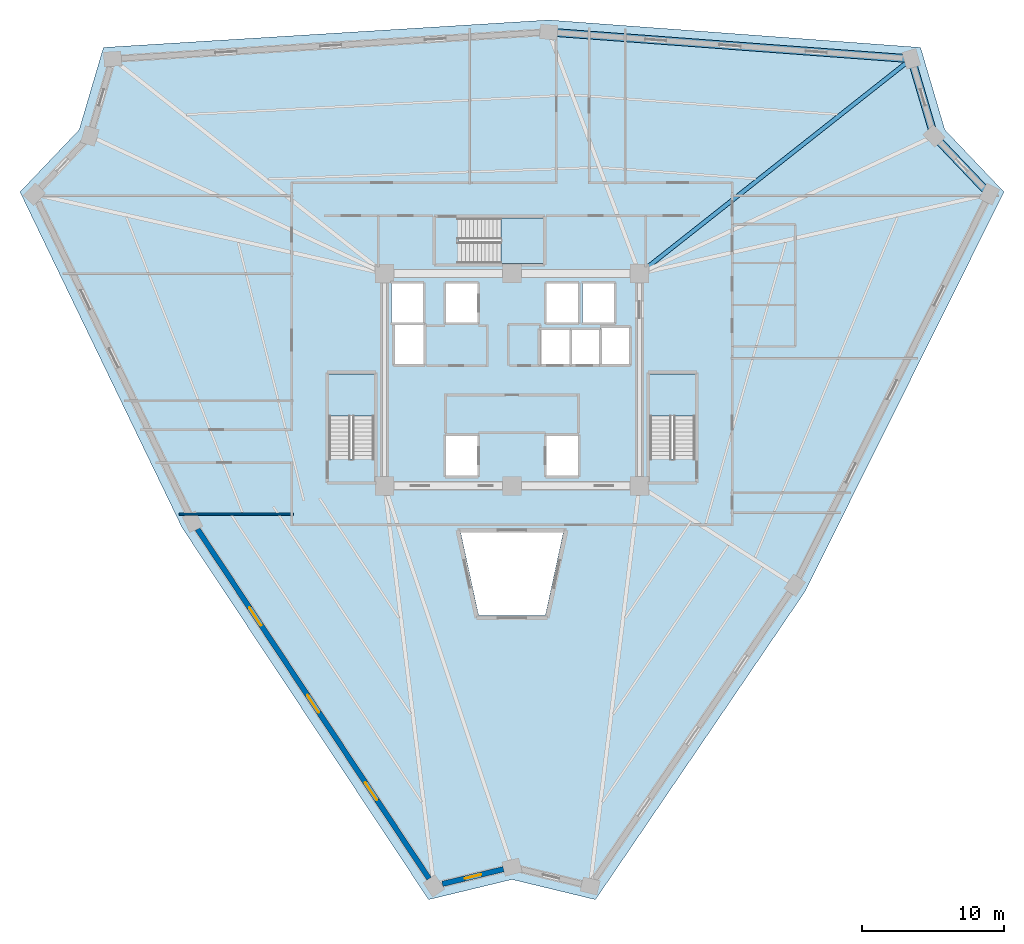
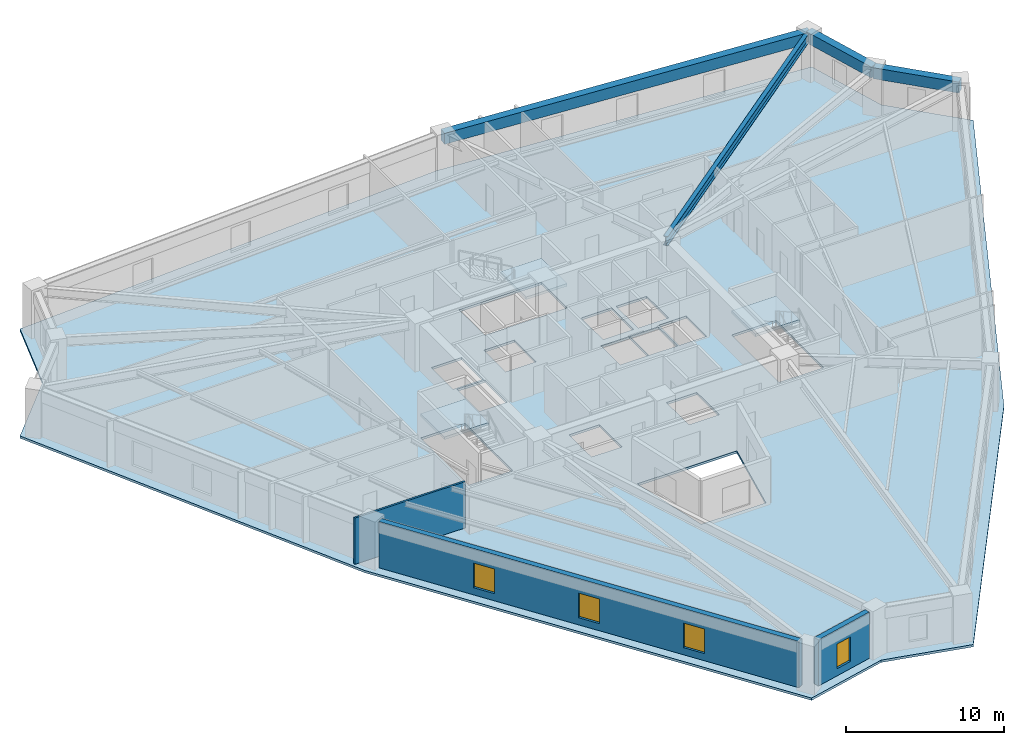
# One storey, part 2 of 8: 4 beams, 4 slabs, 4 windows, 3 walls, 4 openings, 3 elements without a shape of their own.
"""IFC4 building model written with IfcOpenShell, lengths in metres."""

import ifcopenshell
import ifcopenshell.guid

model = None  # the IFC model being written
_history = None  # IfcOwnerHistory: only IFC2X3 demands one
_inside = {}  # id of a spatial element -> (the spatial element, [elements in it])
_under = {}  # id of a project, library or spatial element -> (it, [spatial elements below it])
_declared = {}  # id of a project -> (the project, [libraries it declares])
_typed = {}  # id of a type object -> (the type object, [elements of that type])
_made_of = {}  # id of a material, layer set ... -> (it, [elements and type objects made of it])


def new_model(schema):
    """Start an empty IFC model of exactly this schema.

    Asked for "IFC4X3", IfcOpenShell would pick the latest addendum, in which some entities
    have other attributes; the version numbers below select the first issue.
    IFC2X3 requires an IfcOwnerHistory on every rooted entity: one is made here for all.
    """
    global model, _history
    if schema == "IFC4X3":
        model = ifcopenshell.file(schema_version=(4, 3, 0, 0))
    else:
        model = ifcopenshell.file(schema=schema)
    _inside.clear()
    _under.clear()
    _declared.clear()
    _typed.clear()
    _made_of.clear()
    _history = None
    if model.schema == "IFC2X3":
        org = make("IfcOrganization", Name="unknown")
        user = make(
            "IfcPersonAndOrganization",
            ThePerson=make("IfcPerson", FamilyName="unknown"),
            TheOrganization=org,
        )
        app = make(
            "IfcApplication",
            ApplicationDeveloper=org,
            Version="unknown",
            ApplicationFullName="unknown",
            ApplicationIdentifier="unknown",
        )
        _history = make(
            "IfcOwnerHistory",
            OwningUser=user,
            OwningApplication=app,
            ChangeAction="ADDED",
            CreationDate=0,
        )
    return model


def make(cls, **values):
    """One entity of the class cls with the attributes given. An attribute that is None is left unset."""
    return model.create_entity(
        cls, **{name: value for name, value in values.items() if value is not None}
    )


def rooted(cls, **values):
    """An entity with a GlobalId (a new one), such as an element, a storey or a relation."""
    return make(cls, GlobalId=ifcopenshell.guid.new(), OwnerHistory=_history, **values)


def si_unit(unit_type, name, prefix=None):
    """IfcSIUnit, for example si_unit("LENGTHUNIT", "METRE", prefix="MILLI")."""
    return make("IfcSIUnit", UnitType=unit_type, Prefix=prefix, Name=name)


def assignment(units):
    """IfcUnitAssignment: the units of a project."""
    return None if units is None else make("IfcUnitAssignment", Units=units)


def point(xyz):
    """IfcCartesianPoint."""
    return None if xyz is None else make("IfcCartesianPoint", Coordinates=xyz)


def direction(xyz):
    """IfcDirection."""
    return None if xyz is None else make("IfcDirection", DirectionRatios=xyz)


def frame(location, z_axis=None, x_axis=None):
    """IfcAxis2Placement3D, a coordinate frame: its origin and axes. An axis left out is left unset."""
    return make(
        "IfcAxis2Placement3D",
        Location=point(location),
        Axis=direction(z_axis),
        RefDirection=direction(x_axis),
    )


def frame_2d(location, x_axis=None):
    """IfcAxis2Placement2D, a coordinate frame in the plane: its origin and x axis."""
    return make(
        "IfcAxis2Placement2D", Location=point(location), RefDirection=direction(x_axis)
    )


def origin():
    """The frame at (0, 0, 0) with its axes left unset."""
    return frame((0.0, 0.0, 0.0))


def origin_2d():
    """The frame at (0, 0) in the plane with its x axis left unset."""
    return frame_2d((0.0, 0.0))


def place(relative_to, where):
    """IfcLocalPlacement: puts the frame where relative to a parent placement (None: the world)."""
    return make(
        "IfcLocalPlacement", PlacementRelTo=relative_to, RelativePlacement=where
    )


def context(
    kind, dimensions, precision=None, world=None, true_north=None, identifier=None
):
    """IfcGeometricRepresentationContext, for example the 3D "Model" context."""
    return make(
        "IfcGeometricRepresentationContext",
        ContextIdentifier=identifier,
        ContextType=kind,
        CoordinateSpaceDimension=dimensions,
        Precision=precision,
        WorldCoordinateSystem=world,
        TrueNorth=true_north,
    )


def subcontext(parent, identifier, kind, view, scale=None):
    """IfcGeometricRepresentationSubContext, for example "Body" below "Model"."""
    return make(
        "IfcGeometricRepresentationSubContext",
        ContextIdentifier=identifier,
        ContextType=kind,
        ParentContext=parent,
        TargetScale=scale,
        TargetView=view,
    )


def project(units=None, contexts=None):
    """IfcProject with its units and contexts."""
    return rooted(
        "IfcProject",
        Name="project",
        RepresentationContexts=contexts,
        UnitsInContext=assignment(units),
    )


def spatial(cls, under=None, at=None, **own):
    """A site, building, storey or space (cls), placed at a placement, below another one or the project."""
    s = rooted(cls, ObjectPlacement=at, **own)
    if under is not None:
        _under.setdefault(under.id(), (under, []))[1].append(s)
    return s


def polyline(points):
    """IfcPolyline through the points."""
    return make("IfcPolyline", Points=[point(p) for p in points])


def profile(cls, at=None, kind="AREA", **sizes):
    """A parametric profile (cls). Its sizes go by their IFC names, for example OverallWidth=200.0."""
    return make(cls, ProfileType=kind, Position=at, **sizes)


def rectangle(**sizes):
    """IfcRectangleProfileDef."""
    return profile("IfcRectangleProfileDef", **sizes)


def i_section(**sizes):
    """IfcIShapeProfileDef."""
    return profile("IfcIShapeProfileDef", **sizes)


def outline(outer, holes=None, kind="AREA"):
    """IfcArbitraryClosedProfileDef: a profile drawn as a closed curve; with holes, ...WithVoids."""
    if holes is None:
        return make("IfcArbitraryClosedProfileDef", ProfileType=kind, OuterCurve=outer)
    return make(
        "IfcArbitraryProfileDefWithVoids",
        ProfileType=kind,
        OuterCurve=outer,
        InnerCurves=holes,
    )


def extrude(swept, where, along, depth):
    """IfcExtrudedAreaSolid: the profile swept, set in the frame where, extruded along a direction by depth."""
    return make(
        "IfcExtrudedAreaSolid",
        SweptArea=swept,
        Position=where,
        ExtrudedDirection=direction(along),
        Depth=depth,
    )


def shape(context_of_items, identifier, shape_type, items):
    """IfcShapeRepresentation: the items that make up one representation, for example the "Body"."""
    return make(
        "IfcShapeRepresentation",
        ContextOfItems=context_of_items,
        RepresentationIdentifier=identifier,
        RepresentationType=shape_type,
        Items=items,
    )


def source(mapping_origin, context_of_items, identifier, shape_type, items):
    """IfcRepresentationMap: a shape defined once, which mapped items show again and again."""
    return make(
        "IfcRepresentationMap",
        MappingOrigin=mapping_origin,
        MappedRepresentation=shape(context_of_items, identifier, shape_type, items),
    )


def transform(
    local_origin,
    x_axis=None,
    y_axis=None,
    z_axis=None,
    scale=None,
    scale2=None,
    scale3=None,
    uniform=True,
):
    """IfcCartesianTransformationOperator3D, or its non-uniform kind. x_axis, y_axis, z_axis: its Axis1, 2, 3."""
    if uniform:
        return make(
            "IfcCartesianTransformationOperator3D",
            Axis1=direction(x_axis),
            Axis2=direction(y_axis),
            LocalOrigin=point(local_origin),
            Scale=scale,
            Axis3=direction(z_axis),
        )
    return make(
        "IfcCartesianTransformationOperator3DnonUniform",
        Axis1=direction(x_axis),
        Axis2=direction(y_axis),
        LocalOrigin=point(local_origin),
        Scale=scale,
        Axis3=direction(z_axis),
        Scale2=scale2,
        Scale3=scale3,
    )


def mapped(mapping_source, mapping_target):
    """IfcMappedItem: shows the shape of a source again, moved by a transform."""
    return make(
        "IfcMappedItem", MappingSource=mapping_source, MappingTarget=mapping_target
    )


def material(Name=None, Category=None):
    """IfcMaterial."""
    return make("IfcMaterial", Name=Name, Category=Category)


def layer(
    of_material, thickness, ventilated=None, Name=None, Category=None, Priority=None
):
    """IfcMaterialLayer: one layer of a wall or slab, of a material (None: an air gap)."""
    return make(
        "IfcMaterialLayer",
        Material=of_material,
        LayerThickness=thickness,
        IsVentilated=ventilated,
        Name=Name,
        Category=Category,
        Priority=Priority,
    )


def layer_set(layers, Name=None):
    """IfcMaterialLayerSet."""
    return make("IfcMaterialLayerSet", MaterialLayers=layers, LayerSetName=Name)


def material_profile(
    of_material, cross_section, Name=None, Category=None, Priority=None
):
    """IfcMaterialProfile: a cross section and its material."""
    return make(
        "IfcMaterialProfile",
        Name=Name,
        Material=of_material,
        Profile=cross_section,
        Priority=Priority,
        Category=Category,
    )


def profile_set(profiles, Name=None, composite=None):
    """IfcMaterialProfileSet."""
    return make(
        "IfcMaterialProfileSet",
        Name=Name,
        MaterialProfiles=profiles,
        CompositeProfile=composite,
    )


def made_of(thing, what):
    """Note that an element or type object is made of a material, layer set ...; save() writes the relation."""
    if what is not None:
        _made_of.setdefault(what.id(), (what, []))[1].append(thing)
    return thing


def type_object(cls, material=None, **own):
    """A type object (cls), such as IfcWallType, which elements share."""
    return made_of(rooted(cls, **own), material)


def element(
    cls,
    number,
    at=None,
    inside=None,
    cuts=None,
    type_object=None,
    material=None,
    context=None,
    identifier="Body",
    shape_type=None,
    held_by="IfcProductDefinitionShape",
    body=None,
    shapes=None,
    **own,
):
    """One element of the class cls, such as IfcWall. Its Tag is "e" and its number.

    at: its placement. inside: the storey or other place that contains it. cuts: it is an
    opening in that element (IfcRelVoidsElement). A single representation is given by context,
    identifier, shape_type and body (its items); several are given by shapes. held_by: the class
    of the entity that holds the representations. save() writes the other relations.
    """
    e = rooted(cls, Tag="e%d" % number, ObjectPlacement=at, **own)
    if body is not None:
        shapes = [shape(context, identifier, shape_type, body)]
    if shapes is not None:
        e.Representation = make(held_by, Representations=shapes)
    if inside is not None:
        _inside.setdefault(inside.id(), (inside, []))[1].append(e)
    if cuts is not None:
        rooted(
            "IfcRelVoidsElement", RelatingBuildingElement=cuts, RelatedOpeningElement=e
        )
    if type_object is not None:
        _typed.setdefault(type_object.id(), (type_object, []))[1].append(e)
    return made_of(e, material)


def fill(opening, filler):
    """IfcRelFillsElement: the door or window that sits in an opening."""
    return rooted(
        "IfcRelFillsElement",
        RelatingOpeningElement=opening,
        RelatedBuildingElement=filler,
    )


def aggregate(whole, parts):
    """IfcRelAggregates: a whole, such as a stair, and the parts it consists of."""
    return rooted("IfcRelAggregates", RelatingObject=whole, RelatedObjects=parts)


def save(model, path):
    """Write the relations noted so far, then the file.

    IfcRelAggregates (storeys below a building ...), IfcRelContainedInSpatialStructure (elements
    in a storey), IfcRelDefinesByType, IfcRelAssociatesMaterial and IfcRelDeclares: one each for
    every whole, place, type object, material and project.
    """
    for whole, parts in _under.values():
        aggregate(whole, parts)
    for where, things in _inside.values():
        rooted(
            "IfcRelContainedInSpatialStructure",
            RelatedElements=things,
            RelatingStructure=where,
        )
    for kind, things in _typed.values():
        rooted("IfcRelDefinesByType", RelatedObjects=things, RelatingType=kind)
    for what, things in _made_of.values():
        rooted("IfcRelAssociatesMaterial", RelatedObjects=things, RelatingMaterial=what)
    for by, libraries in _declared.values():
        rooted("IfcRelDeclares", RelatingContext=by, RelatedDefinitions=libraries)
    model.write(path)


model = new_model("IFC4")

# Units and contexts
model_context = context("Model", 3, precision=1e-05, world=origin(), true_north=direction((0.0, 1.0)))
body_context = subcontext(model_context, "Body", "Model", "MODEL_VIEW")
ifc_project = project(units=[si_unit("LENGTHUNIT", "METRE"), si_unit("AREAUNIT", "SQUARE_METRE"), si_unit("VOLUMEUNIT", "CUBIC_METRE"), si_unit("PLANEANGLEUNIT", "RADIAN"), si_unit("MASSUNIT", "GRAM", prefix="KILO")], contexts=[model_context])

# Site, building, storey
site_placement = place(None, origin())
site = spatial("IfcSite", under=ifc_project, at=site_placement, CompositionType="ELEMENT")
building_placement = place(site_placement, origin())
building = spatial("IfcBuilding", under=site, at=building_placement, Name="Liaohun Quay Tower", CompositionType="ELEMENT")
storey_placement = place(building_placement, frame((0.0, 0.0, 201.75)))
storey = spatial("IfcBuildingStorey", under=building, at=storey_placement, Name="L52", CompositionType="ELEMENT", Elevation=201.75)

# Beams
ifc_material_1 = material(Name="Steel Q355D", Category="steel")
ifc_material_profile_1 = material_profile(ifc_material_1, i_section(OverallWidth=0.300048828125, OverallDepth=0.699951171875, WebThickness=0.012939453125, FlangeThickness=0.02392578125, at=origin_2d()), Name="HN700x300x13x24")
ifc_profile_set_1 = profile_set([ifc_material_profile_1], Name="Steel Q355D")
beam_type_1 = type_object("IfcBeamType", Name="BM-RAD-U1", PredefinedType="BEAM", material=ifc_profile_set_1)
shared_shape_1 = source(origin(), body_context, "Body", "SweptSolid", [
    extrude(i_section(OverallWidth=0.300048828125, OverallDepth=0.699951171875, WebThickness=0.012939453125, FlangeThickness=0.02392578125, at=origin_2d()), origin(), (0.0, 0.0, 1.0), 24.48388671875),
])
beam_1_placement = place(storey_placement, frame((69.0, 61.5, 3.219970703125), z_axis=(0.78492641016, 0.619589001381, 0.0), x_axis=(-0.619589001381, 0.78492641016, 0.0)))
element("IfcBeam", 1, at=beam_1_placement, inside=storey, type_object=beam_type_1, Name="L52 Radial Primary Girder CC4-PC07", PredefinedType="BEAM", context=body_context, shape_type="MappedRepresentation", body=[
    mapped(shared_shape_1, transform((0.0, 0.0, 0.0), x_axis=(1.0, 0.0, 0.0), y_axis=(0.0, 1.0, 0.0), z_axis=(0.0, 0.0, 1.0), scale=1.0)),
])
ifc_material_2 = material(Name="Precast concrete C50", Category="concrete")
ifc_material_profile_2 = material_profile(ifc_material_2, rectangle(XDim=0.550048828125, YDim=0.85009765625, at=origin_2d()), Name="RC550x850")
ifc_profile_set_2 = profile_set([ifc_material_profile_2], Name="Precast concrete C50")
beam_type_2 = type_object("IfcBeamType", Name="BM-SPD-Z3", PredefinedType="SPANDREL", material=ifc_profile_set_2)
shared_shape_2 = source(origin(), body_context, "Body", "SweptSolid", [
    extrude(rectangle(XDim=0.550048828125, YDim=0.85009765625, at=origin_2d()), origin(), (0.0, 0.0, 1.0), 25.69482421875),
])
beam_2_placement = place(storey_placement, frame((62.593017578125, 78.56201171875, 3.14501953125), z_axis=(0.997285096748, -0.073637190356, 0.0), x_axis=(0.073637190356, 0.997285096748, 0.0)))
element("IfcBeam", 2, at=beam_2_placement, inside=storey, type_object=beam_type_2, Name="L52 Precast Spandrel Beam PC06-PC07", PredefinedType="SPANDREL", context=body_context, shape_type="MappedRepresentation", body=[
    mapped(shared_shape_2, transform((0.0, 0.0, 0.0), x_axis=(1.0, 0.0, 0.0), y_axis=(0.0, 1.0, 0.0), z_axis=(0.0, 0.0, 1.0), scale=1.0)),
])
shared_shape_3 = source(origin(), body_context, "Body", "SweptSolid", [
    extrude(rectangle(XDim=0.550048828125, YDim=0.85009765625, at=origin_2d()), origin(), (0.0, 0.0, 1.0), 5.6826171875),
])
beam_3_placement = place(storey_placement, frame((88.218017578125, 76.669921875, 3.14501953125), z_axis=(0.282610563915, -0.959234731004, 0.0), x_axis=(0.959234731004, 0.282610563915, 0.0)))
element("IfcBeam", 3, at=beam_3_placement, inside=storey, type_object=beam_type_2, Name="L52 Precast Spandrel Beam PC07-PC08", PredefinedType="SPANDREL", context=body_context, shape_type="MappedRepresentation", body=[
    mapped(shared_shape_3, transform((0.0, 0.0, 0.0), x_axis=(1.0, 0.0, 0.0), y_axis=(0.0, 1.0, 0.0), z_axis=(0.0, 0.0, 1.0), scale=1.0)),
])
shared_shape_4 = source(origin(), body_context, "Body", "SweptSolid", [
    extrude(rectangle(XDim=0.550048828125, YDim=0.85009765625, at=origin_2d()), origin(), (0.0, 0.0, 1.0), 5.67431640625),
])
beam_4_placement = place(storey_placement, frame((89.823974609375, 71.218994140625, 3.14501953125), z_axis=(0.68944456778, -0.724338448488, 0.0), x_axis=(0.724338448488, 0.68944456778, 0.0)))
element("IfcBeam", 4, at=beam_4_placement, inside=storey, type_object=beam_type_2, Name="L52 Precast Spandrel Beam PC08-PC09", PredefinedType="SPANDREL", context=body_context, shape_type="MappedRepresentation", body=[
    mapped(shared_shape_4, transform((0.0, 0.0, 0.0), x_axis=(1.0, 0.0, 0.0), y_axis=(0.0, 1.0, 0.0), z_axis=(0.0, 0.0, 1.0), scale=1.0)),
])

# Stair, slab
ifc_material_3 = material(Name="Concrete C45", Category="concrete")
stair_type = type_object("IfcStairType", Name="STR-CORE-OFF", PredefinedType="HALF_TURN_STAIR", material=ifc_material_3)
stair_1_placement = place(storey_placement, origin())
stair_1 = element("IfcStair", 5, at=stair_1_placement, inside=storey, type_object=stair_type, Name="L52 Smokeproof Core Exit Stair ST-1", PredefinedType="HALF_TURN_STAIR")
ifc_layer_1 = layer(ifc_material_3, 0.199951171875, Name="Concrete C45", Category="concrete")
ifc_layer_set_1 = layer_set([ifc_layer_1], Name="Concrete C45")
slab_type_1 = type_object("IfcSlabType", Name="SLB-LND-200", PredefinedType="LANDING", material=ifc_layer_set_1)
slab_1_placement = place(storey_placement, frame((0.0, 0.0, 1.675048828125)))
slab_1 = element("IfcSlab", 6, at=slab_1_placement, type_object=slab_type_1, Name="ST-1 landing 1", PredefinedType="LANDING", context=body_context, shape_type="SweptSolid", body=[
    extrude(outline(polyline([(50.280029296875, 51.429931640625), (50.280029296875, 54.419921875), (47.0400390625, 54.419921875), (47.0400390625, 51.429931640625), (50.280029296875, 51.429931640625)])), origin(), (0.0, 0.0, 1.0), 0.199951171875),
])
aggregate(stair_1, [slab_1])

stair_2_placement = place(storey_placement, origin())
stair_2 = element("IfcStair", 7, at=stair_2_placement, inside=storey, type_object=stair_type, Name="L52 Smokeproof Core Exit Stair ST-2", PredefinedType="HALF_TURN_STAIR")
slab_2_placement = place(storey_placement, frame((0.0, 0.0, 1.675048828125)))
slab_2 = element("IfcSlab", 8, at=slab_2_placement, type_object=slab_type_1, Name="ST-2 landing 1", PredefinedType="LANDING", context=body_context, shape_type="SweptSolid", body=[
    extrude(outline(polyline([(72.9599609375, 51.429931640625), (72.9599609375, 54.419921875), (69.719970703125, 54.419921875), (69.719970703125, 51.429931640625), (72.9599609375, 51.429931640625)])), origin(), (0.0, 0.0, 1.0), 0.199951171875),
])
aggregate(stair_2, [slab_2])

stair_3_placement = place(storey_placement, origin())
stair_3 = element("IfcStair", 9, at=stair_3_placement, inside=storey, type_object=stair_type, Name="L52 Smokeproof Core Exit Stair ST-3", PredefinedType="HALF_TURN_STAIR")
slab_3_placement = place(storey_placement, frame((0.0, 0.0, 1.675048828125)))
slab_3 = element("IfcSlab", 10, at=slab_3_placement, type_object=slab_type_1, Name="ST-3 landing 1", PredefinedType="LANDING", context=body_context, shape_type="SweptSolid", body=[
    extrude(outline(polyline([(59.22998046875, 62.199951171875), (62.219970703125, 62.199951171875), (62.219970703125, 65.43994140625), (59.22998046875, 65.43994140625), (59.22998046875, 62.199951171875)])), origin(), (0.0, 0.0, 1.0), 0.199951171875),
])
aggregate(stair_3, [slab_3])

# Slab
ifc_layer_2 = layer(ifc_material_3, 0.179931640625, Name="Concrete C45", Category="concrete")
ifc_layer_set_2 = layer_set([ifc_layer_2], Name="Concrete C45")
slab_type_2 = type_object("IfcSlabType", Name="SLB-OFF-180", PredefinedType="FLOOR", material=ifc_layer_set_2)
slab_4_placement = place(storey_placement, frame((0.0, 0.0, -0.179931640625)))
element("IfcSlab", 11, at=slab_4_placement, inside=storey, type_object=slab_type_2, Name="L52 Structural Floor Slab", PredefinedType="FLOOR", context=body_context, shape_type="SweptSolid", body=[
    extrude(outline(polyline([(54.10498046875, 17.263916015625), (60.0, 18.68798828125), (65.89501953125, 17.263916015625), (80.7099609375, 39.04296875), (94.761962890625, 67.262939453125), (90.5810546875, 71.656005859375), (88.866943359375, 77.47412109375), (62.597900390625, 79.4140625), (31.133056640625, 77.47412109375), (29.4189453125, 71.656005859375), (25.238037109375, 67.262939453125), (36.69189453125, 43.54296875), (54.10498046875, 17.263916015625)]), holes=[polyline([(63.625, 43.199951171875), (56.375, 43.199951171875), (57.64404296875, 37.33203125), (62.35595703125, 37.33203125), (63.625, 43.199951171875)]), polyline([(57.56005859375, 47.2099609375), (57.56005859375, 50.030029296875), (55.340087890625, 50.030029296875), (55.340087890625, 47.2099609375), (57.56005859375, 47.2099609375)]), polyline([(50.280029296875, 54.419921875), (47.0400390625, 54.419921875), (47.0400390625, 48.409912109375), (50.280029296875, 48.409912109375), (50.280029296875, 54.419921875)]), polyline([(53.760009765625, 55.090087890625), (53.760009765625, 57.909912109375), (51.7099609375, 57.909912109375), (51.7099609375, 55.090087890625), (53.760009765625, 55.090087890625)]), polyline([(53.7099609375, 58.0400390625), (53.7099609375, 60.7900390625), (51.489990234375, 60.7900390625), (51.489990234375, 58.0400390625), (53.7099609375, 58.0400390625)]), polyline([(57.56005859375, 58.0400390625), (57.56005859375, 60.7900390625), (55.340087890625, 60.7900390625), (55.340087890625, 58.0400390625), (57.56005859375, 58.0400390625)]), polyline([(62.219970703125, 62.199951171875), (62.219970703125, 65.43994140625), (56.2099609375, 65.43994140625), (56.2099609375, 62.199951171875), (62.219970703125, 62.199951171875)]), polyline([(64.659912109375, 50.030029296875), (62.43994140625, 50.030029296875), (62.43994140625, 47.2099609375), (64.659912109375, 47.2099609375), (64.659912109375, 50.030029296875)]), polyline([(72.9599609375, 54.419921875), (69.719970703125, 54.419921875), (69.719970703125, 48.409912109375), (72.9599609375, 48.409912109375), (72.9599609375, 54.419921875)]), polyline([(64.06005859375, 55.090087890625), (64.06005859375, 57.510009765625), (61.989990234375, 57.510009765625), (61.989990234375, 55.090087890625), (64.06005859375, 55.090087890625)]), polyline([(66.159912109375, 55.090087890625), (66.159912109375, 57.510009765625), (64.090087890625, 57.510009765625), (64.090087890625, 55.090087890625), (66.159912109375, 55.090087890625)]), polyline([(68.2900390625, 55.090087890625), (68.2900390625, 57.659912109375), (66.2900390625, 57.659912109375), (66.2900390625, 55.090087890625), (68.2900390625, 55.090087890625)]), polyline([(64.659912109375, 58.0400390625), (64.659912109375, 60.7900390625), (62.43994140625, 60.7900390625), (62.43994140625, 58.0400390625), (64.659912109375, 58.0400390625)]), polyline([(67.2099609375, 58.0400390625), (67.2099609375, 60.7900390625), (64.989990234375, 60.7900390625), (64.989990234375, 58.0400390625), (67.2099609375, 58.0400390625)])]), origin(), (0.0, 0.0, 1.0), 0.179931640625),
])

# Wall, openings, windows
ifc_material_4 = material(Name="Precast concrete C50 insulated sandwich", Category="concrete")
ifc_layer_3 = layer(ifc_material_4, 0.3798828125, Name="Precast concrete C50 insulated sandwich", Category="concrete")
ifc_layer_set_3 = layer_set([ifc_layer_3], Name="Precast concrete C50 insulated sandwich")
wall_type_1 = type_object("IfcWallType", Name="WAL-EXT-Z34", PredefinedType="SOLIDWALL", material=ifc_layer_set_3)
wall_1_placement = place(storey_placement, frame((37.77197265625, 43.450927734375, 0.0), z_axis=(0.0, 0.0, 1.0), x_axis=(0.552363814136, -0.833603153085, 0.0)))
wall_1 = element("IfcWall", 12, at=wall_1_placement, inside=storey, type_object=wall_type_1, Name="L52 Brutalist Precast Pier Wall 11", PredefinedType="SOLIDWALL", context=body_context, shape_type="SweptSolid", body=[
    extrude(rectangle(XDim=29.639892578125, YDim=0.3798828125, at=frame_2d((14.81982421875, 0.0))), origin(), (0.0, 0.0, 1.0), 3.570068359375),
])
shared_shape_5 = source(origin(), body_context, "Body", "SweptSolid", [
    extrude(rectangle(XDim=1.5, YDim=1.89990234375, at=frame_2d((0.75, 0.949951171875))), frame((0.0, 0.199951171875, 0.0), z_axis=(0.0, -1.0, 0.0), x_axis=(1.0, 0.0, 0.0)), (0.0, 0.0, 1.0), 0.39990234375),
])
opening_1_placement = place(wall_1_placement, frame((6.659912109375, 0.0, 0.550048828125)))
opening_1 = element("IfcOpeningElement", 13, at=opening_1_placement, cuts=wall_1, Name="Opening W03", PredefinedType="OPENING", context=body_context, shape_type="MappedRepresentation", body=[
    mapped(shared_shape_5, transform((0.0, 0.0, 0.0), x_axis=(1.0, 0.0, 0.0), y_axis=(0.0, 1.0, 0.0), z_axis=(0.0, 0.0, 1.0), scale=1.0)),
])
opening_2_placement = place(wall_1_placement, frame((14.070068359375, 0.0, 0.550048828125)))
opening_2 = element("IfcOpeningElement", 14, at=opening_2_placement, cuts=wall_1, Name="Opening W03", PredefinedType="OPENING", context=body_context, shape_type="MappedRepresentation", body=[
    mapped(shared_shape_5, transform((0.0, 0.0, 0.0), x_axis=(1.0, 0.0, 0.0), y_axis=(0.0, 1.0, 0.0), z_axis=(0.0, 0.0, 1.0), scale=1.0)),
])
opening_3_placement = place(wall_1_placement, frame((21.47998046875, 0.0, 0.550048828125)))
opening_3 = element("IfcOpeningElement", 15, at=opening_3_placement, cuts=wall_1, Name="Opening W03", PredefinedType="OPENING", context=body_context, shape_type="MappedRepresentation", body=[
    mapped(shared_shape_5, transform((0.0, 0.0, 0.0), x_axis=(1.0, 0.0, 0.0), y_axis=(0.0, 1.0, 0.0), z_axis=(0.0, 0.0, 1.0), scale=1.0)),
])
ifc_material_5 = material(Name="Triple Low-E argon glazing in thermally broken aluminium", Category="aluminium")
window_type_1 = type_object("IfcWindowType", Name="WIN-PUN-Z3", PartitioningType="DOUBLE_PANEL_VERTICAL", PredefinedType="WINDOW", material=ifc_material_5)
shared_shape_6 = source(origin(), body_context, "Body", "SweptSolid", [
    extrude(rectangle(XDim=1.5, YDim=1.89990234375, at=frame_2d((0.75, 0.949951171875))), frame((0.0, 0.030029296875, 0.0), z_axis=(0.0, -1.0, 0.0), x_axis=(1.0, 0.0, 0.0)), (0.0, 0.0, 1.0), 0.06005859375),
])
window_1_placement = place(opening_1_placement, origin())
window_1 = element("IfcWindow", 16, at=window_1_placement, inside=storey, type_object=window_type_1, Name="L52 Recessed Cold-Climate Punched Window 11-1", OverallHeight=1.89990234375, OverallWidth=1.5, PartitioningType="DOUBLE_PANEL_VERTICAL", PredefinedType="WINDOW", context=body_context, shape_type="MappedRepresentation", body=[
    mapped(shared_shape_6, transform((0.0, 0.0, 0.0), x_axis=(1.0, 0.0, 0.0), y_axis=(0.0, 1.0, 0.0), z_axis=(0.0, 0.0, 1.0), scale=1.0)),
])
fill(opening_1, window_1)
window_2_placement = place(opening_2_placement, origin())
window_2 = element("IfcWindow", 17, at=window_2_placement, inside=storey, type_object=window_type_1, Name="L52 Recessed Cold-Climate Punched Window 11-2", OverallHeight=1.89990234375, OverallWidth=1.5, PartitioningType="DOUBLE_PANEL_VERTICAL", PredefinedType="WINDOW", context=body_context, shape_type="MappedRepresentation", body=[
    mapped(shared_shape_6, transform((0.0, 0.0, 0.0), x_axis=(1.0, 0.0, 0.0), y_axis=(0.0, 1.0, 0.0), z_axis=(0.0, 0.0, 1.0), scale=1.0)),
])
fill(opening_2, window_2)
window_3_placement = place(opening_3_placement, origin())
window_3 = element("IfcWindow", 18, at=window_3_placement, inside=storey, type_object=window_type_1, Name="L52 Recessed Cold-Climate Punched Window 11-3", OverallHeight=1.89990234375, OverallWidth=1.5, PartitioningType="DOUBLE_PANEL_VERTICAL", PredefinedType="WINDOW", context=body_context, shape_type="MappedRepresentation", body=[
    mapped(shared_shape_6, transform((0.0, 0.0, 0.0), x_axis=(1.0, 0.0, 0.0), y_axis=(0.0, 1.0, 0.0), z_axis=(0.0, 0.0, 1.0), scale=1.0)),
])
fill(opening_3, window_3)

# Wall, opening, window
wall_2_placement = place(storey_placement, frame((55.08203125, 18.3740234375, 0.0), z_axis=(0.0, 0.0, 1.0), x_axis=(0.972022121838, 0.234889324271, 0.0)))
wall_2 = element("IfcWall", 19, at=wall_2_placement, inside=storey, type_object=wall_type_1, Name="L52 Brutalist Precast Pier Wall 12", PredefinedType="SOLIDWALL", context=body_context, shape_type="SweptSolid", body=[
    extrude(rectangle(XDim=4.4443359375, YDim=0.3798828125, at=frame_2d((2.22216796875, 0.0))), origin(), (0.0, 0.0, 1.0), 3.570068359375),
])
shared_shape_7 = source(origin(), body_context, "Body", "SweptSolid", [
    extrude(rectangle(XDim=1.199951171875, YDim=1.89990234375, at=frame_2d((0.60009765625, 0.949951171875))), frame((0.0, 0.199951171875, 0.0), z_axis=(0.0, -1.0, 0.0), x_axis=(1.0, 0.0, 0.0)), (0.0, 0.0, 1.0), 0.39990234375),
])
opening_4_placement = place(wall_2_placement, frame((1.6220703125, 0.0, 0.550048828125)))
opening_4 = element("IfcOpeningElement", 20, at=opening_4_placement, cuts=wall_2, Name="Opening W05", PredefinedType="OPENING", context=body_context, shape_type="MappedRepresentation", body=[
    mapped(shared_shape_7, transform((0.0, 0.0, 0.0), x_axis=(1.0, 0.0, 0.0), y_axis=(0.0, 1.0, 0.0), z_axis=(0.0, 0.0, 1.0), scale=1.0)),
])
ifc_material_6 = material(Name="Triple Low-E corner notch glazing", Category="glass")
window_type_2 = type_object("IfcWindowType", Name="WIN-NOTCH", PartitioningType="SINGLE_PANEL", PredefinedType="WINDOW", material=ifc_material_6)
shared_shape_8 = source(origin(), body_context, "Body", "SweptSolid", [
    extrude(rectangle(XDim=1.199951171875, YDim=1.89990234375, at=frame_2d((0.60009765625, 0.949951171875))), frame((0.0, 0.030029296875, 0.0), z_axis=(0.0, -1.0, 0.0), x_axis=(1.0, 0.0, 0.0)), (0.0, 0.0, 1.0), 0.06005859375),
])
window_4_placement = place(opening_4_placement, origin())
window_4 = element("IfcWindow", 21, at=window_4_placement, inside=storey, type_object=window_type_2, Name="L52 Corner Notch Window W05-12", OverallHeight=1.89990234375, OverallWidth=1.199951171875, PartitioningType="SINGLE_PANEL", PredefinedType="WINDOW", context=body_context, shape_type="MappedRepresentation", body=[
    mapped(shared_shape_8, transform((0.0, 0.0, 0.0), x_axis=(1.0, 0.0, 0.0), y_axis=(0.0, 1.0, 0.0), z_axis=(0.0, 0.0, 1.0), scale=1.0)),
])
fill(opening_4, window_4)

# Wall
ifc_material_7 = material(Name="Gypsum board on twin steel studs", Category="steel")
ifc_layer_4 = layer(ifc_material_7, 0.139892578125, Name="Gypsum board on twin steel studs", Category="steel")
ifc_layer_set_4 = layer_set([ifc_layer_4], Name="Gypsum board on twin steel studs")
wall_type_2 = type_object("IfcWallType", Name="WAL-PRT-OFF", PredefinedType="PARTITIONING", material=ifc_layer_set_4)
wall_3_placement = place(storey_placement, frame((44.5400390625, 44.5, 0.0), z_axis=(0.0, 0.0, 1.0), x_axis=(-1.0, 0.0, 0.0)))
element("IfcWall", 22, at=wall_3_placement, inside=storey, type_object=wall_type_2, Name="L52 Interior Partition Wall 042", PredefinedType="PARTITIONING", context=body_context, shape_type="SweptSolid", body=[
    extrude(rectangle(XDim=8.06591796875, YDim=0.139892578125, at=frame_2d((4.032958984375, 0.0))), origin(), (0.0, 0.0, 1.0), 3.570068359375),
])

save(model, "model.ifc")
